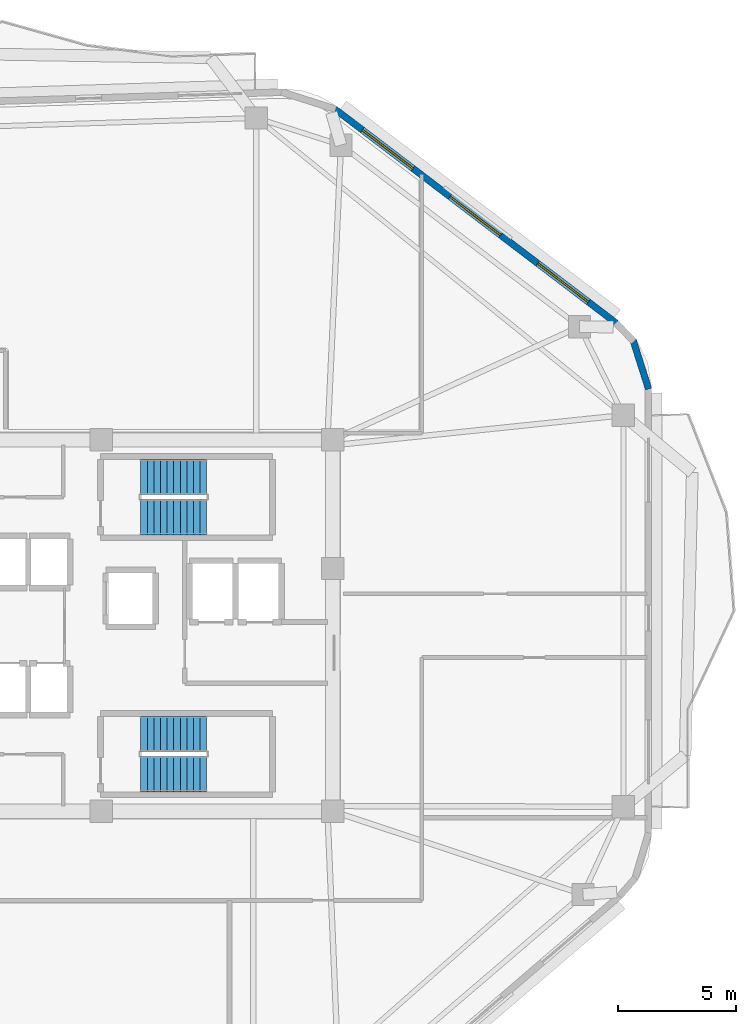
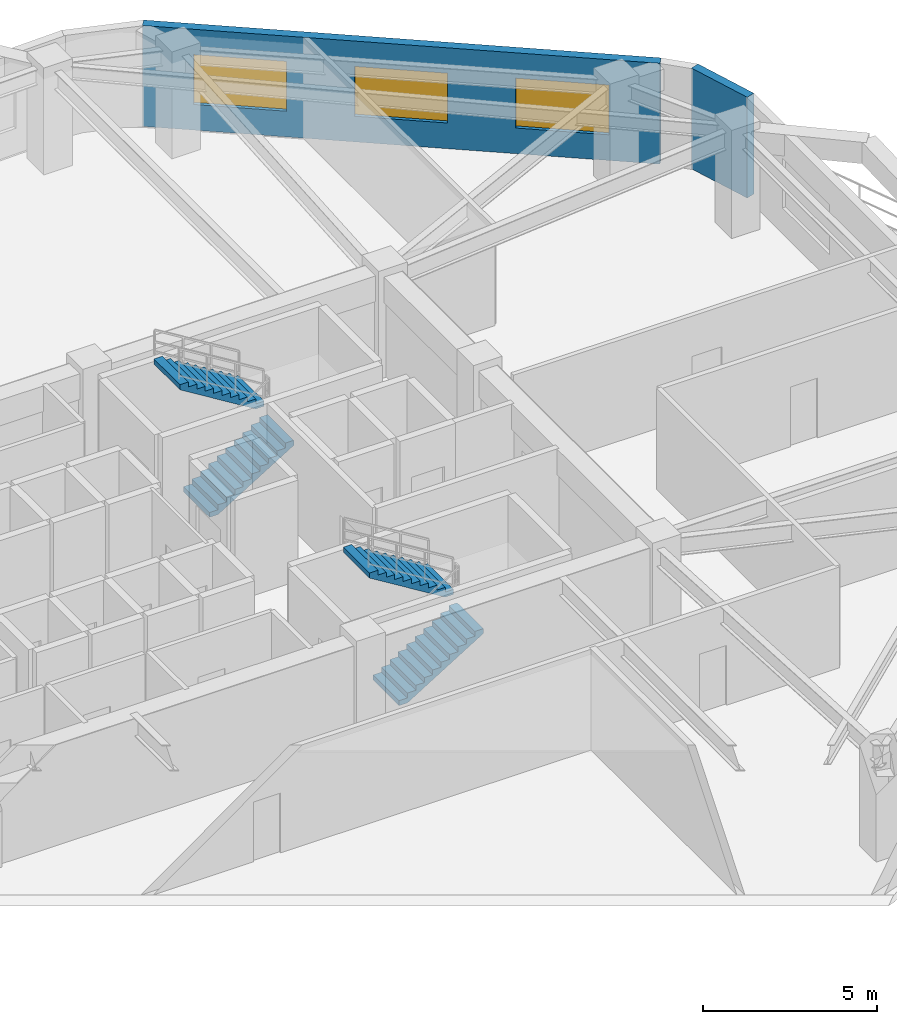
# One storey, part 6 of 8: 4 stair flights, 3 windows, 2 walls, 3 openings, 2 elements without a shape of their own.
"""IFC4 building model written with IfcOpenShell, lengths in metres."""

from ifc_helpers import new_model, si_unit, direction, frame, frame_2d, origin, place, context, subcontext, project, spatial, polyline, rectangle, outline, extrude, material, layer, layer_set, type_object, element, fill, aggregate, save


model = new_model("IFC4")

# Units and contexts
model_context = context("Model", 3, precision=1e-05, world=origin(), true_north=direction((0.0, 1.0)))
body_context = subcontext(model_context, "Body", "Model", "MODEL_VIEW")
ifc_project = project(units=[si_unit("LENGTHUNIT", "METRE"), si_unit("AREAUNIT", "SQUARE_METRE"), si_unit("VOLUMEUNIT", "CUBIC_METRE"), si_unit("PLANEANGLEUNIT", "RADIAN"), si_unit("MASSUNIT", "GRAM", prefix="KILO")], contexts=[model_context])

# Site, building, storey
site_placement = place(None, origin())
site = spatial("IfcSite", under=ifc_project, at=site_placement, CompositionType="ELEMENT")
building_placement = place(site_placement, origin())
building = spatial("IfcBuilding", under=site, at=building_placement, Name="Zulverin Broadcast Headquarters", CompositionType="ELEMENT")
storey_placement = place(building_placement, frame((0.0, 0.0, 163.0)))
storey = spatial("IfcBuildingStorey", under=building, at=storey_placement, Name="L41", CompositionType="ELEMENT", Elevation=163.0)

# Wall, openings, windows
ifc_material_1 = material(Name="Insulated pale-metal clad concrete spandrel C40/50", Category="concrete")
ifc_layer = layer(ifc_material_1, 0.280029296875, Name="Insulated pale-metal clad concrete spandrel C40/50", Category="concrete")
ifc_layer_set = layer_set([ifc_layer], Name="Insulated pale-metal clad concrete spandrel C40/50")
wall_type = type_object("IfcWallType", Name="WL-EXT-280", PredefinedType="STANDARD", material=ifc_layer_set)
wall_1_placement = place(storey_placement, frame((60.294921875, 38.025146484375, 0.0), z_axis=(0.0, 0.0, 1.0), x_axis=(-0.795831760834, 0.605517801925, 0.0)))
wall_1 = element("IfcWall", 1, at=wall_1_placement, inside=storey, type_object=wall_type, Name="L41 Pale-Metal Clad Spandrel Wall 4", PredefinedType="STANDARD", context=body_context, shape_type="SweptSolid", body=[
    extrude(rectangle(XDim=15.01171875, YDim=0.280029296875, at=frame_2d((7.505859375, 0.0))), origin(), (0.0, 0.0, 1.0), 3.5400390625),
])
opening_1_placement = place(wall_1_placement, frame((1.4853515625, 0.0, 0.89990234375)))
opening_1 = element("IfcOpeningElement", 2, at=opening_1_placement, cuts=wall_1, Name="Opening W-L41-E41", PredefinedType="OPENING", context=body_context, shape_type="SweptSolid", body=[
    extrude(rectangle(XDim=2.699951171875, YDim=1.75, at=frame_2d((1.35009765625, 0.875))), frame((0.0, 0.14990234375, 0.0), z_axis=(0.0, -1.0, 0.0), x_axis=(1.0, 0.0, 0.0)), (0.0, 0.0, 1.0), 0.300048828125),
])
opening_2_placement = place(wall_1_placement, frame((6.156005859375, 0.0, 0.89990234375)))
opening_2 = element("IfcOpeningElement", 3, at=opening_2_placement, cuts=wall_1, Name="Opening W-L41-E42", PredefinedType="OPENING", context=body_context, shape_type="SweptSolid", body=[
    extrude(rectangle(XDim=2.699951171875, YDim=1.75, at=frame_2d((1.35009765625, 0.875))), frame((0.0, 0.14990234375, 0.0), z_axis=(0.0, -1.0, 0.0), x_axis=(1.0, 0.0, 0.0)), (0.0, 0.0, 1.0), 0.300048828125),
])
opening_3_placement = place(wall_1_placement, frame((10.826416015625, 0.0, 0.89990234375)))
opening_3 = element("IfcOpeningElement", 4, at=opening_3_placement, cuts=wall_1, Name="Opening W-L41-E43", PredefinedType="OPENING", context=body_context, shape_type="SweptSolid", body=[
    extrude(rectangle(XDim=2.699951171875, YDim=1.75, at=frame_2d((1.35009765625, 0.875))), frame((0.0, 0.14990234375, 0.0), z_axis=(0.0, -1.0, 0.0), x_axis=(1.0, 0.0, 0.0)), (0.0, 0.0, 1.0), 0.300048828125),
])
ifc_material_2 = material(Name="Pale anodized aluminium frame with solar-control low-E double glazing", Category="aluminium")
window_type = type_object("IfcWindowType", Name="WIN-TWR-2700", PartitioningType="SINGLE_PANEL", PredefinedType="WINDOW", material=ifc_material_2)
window_1_placement = place(opening_1_placement, origin())
window_1 = element("IfcWindow", 5, at=window_1_placement, inside=storey, type_object=window_type, Name="L41 Ribbon Glazing Window 4 1", OverallHeight=1.75, OverallWidth=2.699951171875, PartitioningType="SINGLE_PANEL", PredefinedType="WINDOW", context=body_context, shape_type="SweptSolid", body=[
    extrude(rectangle(XDim=2.699951171875, YDim=1.75, at=frame_2d((1.35009765625, 0.875))), frame((0.0, 0.030029296875, 0.0), z_axis=(0.0, -1.0, 0.0), x_axis=(1.0, 0.0, 0.0)), (0.0, 0.0, 1.0), 0.06005859375),
])
fill(opening_1, window_1)
window_2_placement = place(opening_2_placement, origin())
window_2 = element("IfcWindow", 6, at=window_2_placement, inside=storey, type_object=window_type, Name="L41 Ribbon Glazing Window 4 2", OverallHeight=1.75, OverallWidth=2.699951171875, PartitioningType="SINGLE_PANEL", PredefinedType="WINDOW", context=body_context, shape_type="SweptSolid", body=[
    extrude(rectangle(XDim=2.699951171875, YDim=1.75, at=frame_2d((1.35009765625, 0.875))), frame((0.0, 0.030029296875, 0.0), z_axis=(0.0, -1.0, 0.0), x_axis=(1.0, 0.0, 0.0)), (0.0, 0.0, 1.0), 0.06005859375),
])
fill(opening_2, window_2)
window_3_placement = place(opening_3_placement, origin())
window_3 = element("IfcWindow", 7, at=window_3_placement, inside=storey, type_object=window_type, Name="L41 Ribbon Glazing Window 4 3", OverallHeight=1.75, OverallWidth=2.699951171875, PartitioningType="SINGLE_PANEL", PredefinedType="WINDOW", context=body_context, shape_type="SweptSolid", body=[
    extrude(rectangle(XDim=2.699951171875, YDim=1.75, at=frame_2d((1.35009765625, 0.875))), frame((0.0, 0.030029296875, 0.0), z_axis=(0.0, -1.0, 0.0), x_axis=(1.0, 0.0, 0.0)), (0.0, 0.0, 1.0), 0.06005859375),
])
fill(opening_3, window_3)

# Wall
wall_2_placement = place(storey_placement, frame((61.66650390625, 35.229248046875, 0.0), z_axis=(0.0, 0.0, 1.0), x_axis=(-0.302044777107, 0.953293738898, 0.0)))
element("IfcWall", 8, at=wall_2_placement, inside=storey, type_object=wall_type, Name="L41 Wind-Shaped Corner Spandrel Wall 3-1", PredefinedType="STANDARD", context=body_context, shape_type="SweptSolid", body=[
    extrude(rectangle(XDim=2.17431640625, YDim=0.280029296875, at=frame_2d((1.087158203125, 0.0))), origin(), (0.0, 0.0, 1.0), 3.5400390625),
])

# Stair, stair flights
ifc_material_3 = material(Name="Concrete C40/50", Category="concrete")
stair_type = type_object("IfcStairType", Name="ST-CORE-1500", PredefinedType="HALF_TURN_STAIR", material=ifc_material_3)
stair_1_placement = place(storey_placement, origin())
stair_1 = element("IfcStair", 9, at=stair_1_placement, inside=storey, type_object=stair_type, Name="L41 Core Exit Stair ST-1", PredefinedType="HALF_TURN_STAIR")
stair_flight_type = type_object("IfcStairFlightType", Name="SF-CORE-1500", PredefinedType="STRAIGHT", material=ifc_material_3)
stair_flight_1_placement = place(storey_placement, frame((40.1298828125, 29.800048828125, 0.0), z_axis=(0.0, 0.0, 1.0), x_axis=(1.0, 0.0, 0.0)))
stair_flight_1 = element("IfcStairFlight", 10, at=stair_flight_1_placement, type_object=stair_flight_type, Name="ST-1 flight 1", NumberOfRisers=11, NumberOfTreads=10, PredefinedType="STRAIGHT", RiserHeight=0.172727273, TreadLength=0.28, context=body_context, shape_type="SweptSolid", body=[
    extrude(outline(polyline([(0.0, 0.0), (0.0, 0.172607421875), (0.280029296875, 0.172607421875), (0.280029296875, 0.345458984375), (0.56005859375, 0.345458984375), (0.56005859375, 0.51806640625), (0.840087890625, 0.51806640625), (0.840087890625, 0.69091796875), (1.1201171875, 0.69091796875), (1.1201171875, 0.863525390625), (1.39990234375, 0.863525390625), (1.39990234375, 1.036376953125), (1.679931640625, 1.036376953125), (1.679931640625, 1.208984375), (1.9599609375, 1.208984375), (1.9599609375, 1.3818359375), (2.239990234375, 1.3818359375), (2.239990234375, 1.554443359375), (2.52001953125, 1.554443359375), (2.52001953125, 1.727294921875), (2.800048828125, 1.727294921875), (2.800048828125, 1.89990234375), (2.800048828125, 1.551025390625), (0.285400390625, 0.0), (0.0, 0.0)])), frame((0.0, 0.75, 0.0), z_axis=(0.0, -1.0, 0.0), x_axis=(1.0, 0.0, 0.0)), (0.0, 0.0, 1.0), 1.5),
])
stair_flight_2_placement = place(storey_placement, frame((42.929931640625, 31.5, 1.89990234375), z_axis=(0.0, 0.0, 1.0), x_axis=(-1.0, 0.0, 0.0)))
stair_flight_2 = element("IfcStairFlight", 11, at=stair_flight_2_placement, type_object=stair_flight_type, Name="ST-1 flight 2", NumberOfRisers=11, NumberOfTreads=10, PredefinedType="STRAIGHT", RiserHeight=0.172727273, TreadLength=0.28, context=body_context, shape_type="SweptSolid", body=[
    extrude(outline(polyline([(0.0, 0.0), (0.0, 0.172607421875), (0.280029296875, 0.172607421875), (0.280029296875, 0.345458984375), (0.56005859375, 0.345458984375), (0.56005859375, 0.51806640625), (0.840087890625, 0.51806640625), (0.840087890625, 0.69091796875), (1.1201171875, 0.69091796875), (1.1201171875, 0.863525390625), (1.39990234375, 0.863525390625), (1.39990234375, 1.036376953125), (1.679931640625, 1.036376953125), (1.679931640625, 1.208984375), (1.9599609375, 1.208984375), (1.9599609375, 1.3818359375), (2.239990234375, 1.3818359375), (2.239990234375, 1.554443359375), (2.52001953125, 1.554443359375), (2.52001953125, 1.727294921875), (2.800048828125, 1.727294921875), (2.800048828125, 1.89990234375), (2.800048828125, 1.551025390625), (0.285400390625, 0.0), (0.0, 0.0)])), frame((0.0, 0.75, 0.0), z_axis=(0.0, -1.0, 0.0), x_axis=(1.0, 0.0, 0.0)), (0.0, 0.0, 1.0), 1.5),
])
aggregate(stair_1, [stair_flight_1, stair_flight_2])

stair_2_placement = place(storey_placement, origin())
stair_2 = element("IfcStair", 12, at=stair_2_placement, inside=storey, type_object=stair_type, Name="L41 Core Exit Stair ST-2", PredefinedType="HALF_TURN_STAIR")
stair_flight_3_placement = place(storey_placement, frame((40.1298828125, 18.89990234375, 0.0), z_axis=(0.0, 0.0, 1.0), x_axis=(1.0, 0.0, 0.0)))
stair_flight_3 = element("IfcStairFlight", 13, at=stair_flight_3_placement, type_object=stair_flight_type, Name="ST-2 flight 1", NumberOfRisers=11, NumberOfTreads=10, PredefinedType="STRAIGHT", RiserHeight=0.172727273, TreadLength=0.28, context=body_context, shape_type="SweptSolid", body=[
    extrude(outline(polyline([(0.0, 0.0), (0.0, 0.172607421875), (0.280029296875, 0.172607421875), (0.280029296875, 0.345458984375), (0.56005859375, 0.345458984375), (0.56005859375, 0.51806640625), (0.840087890625, 0.51806640625), (0.840087890625, 0.69091796875), (1.1201171875, 0.69091796875), (1.1201171875, 0.863525390625), (1.39990234375, 0.863525390625), (1.39990234375, 1.036376953125), (1.679931640625, 1.036376953125), (1.679931640625, 1.208984375), (1.9599609375, 1.208984375), (1.9599609375, 1.3818359375), (2.239990234375, 1.3818359375), (2.239990234375, 1.554443359375), (2.52001953125, 1.554443359375), (2.52001953125, 1.727294921875), (2.800048828125, 1.727294921875), (2.800048828125, 1.89990234375), (2.800048828125, 1.551025390625), (0.285400390625, 0.0), (0.0, 0.0)])), frame((0.0, 0.75, 0.0), z_axis=(0.0, -1.0, 0.0), x_axis=(1.0, 0.0, 0.0)), (0.0, 0.0, 1.0), 1.5),
])
stair_flight_4_placement = place(storey_placement, frame((42.929931640625, 20.60009765625, 1.89990234375), z_axis=(0.0, 0.0, 1.0), x_axis=(-1.0, 0.0, 0.0)))
stair_flight_4 = element("IfcStairFlight", 14, at=stair_flight_4_placement, type_object=stair_flight_type, Name="ST-2 flight 2", NumberOfRisers=11, NumberOfTreads=10, PredefinedType="STRAIGHT", RiserHeight=0.172727273, TreadLength=0.28, context=body_context, shape_type="SweptSolid", body=[
    extrude(outline(polyline([(0.0, 0.0), (0.0, 0.172607421875), (0.280029296875, 0.172607421875), (0.280029296875, 0.345458984375), (0.56005859375, 0.345458984375), (0.56005859375, 0.51806640625), (0.840087890625, 0.51806640625), (0.840087890625, 0.69091796875), (1.1201171875, 0.69091796875), (1.1201171875, 0.863525390625), (1.39990234375, 0.863525390625), (1.39990234375, 1.036376953125), (1.679931640625, 1.036376953125), (1.679931640625, 1.208984375), (1.9599609375, 1.208984375), (1.9599609375, 1.3818359375), (2.239990234375, 1.3818359375), (2.239990234375, 1.554443359375), (2.52001953125, 1.554443359375), (2.52001953125, 1.727294921875), (2.800048828125, 1.727294921875), (2.800048828125, 1.89990234375), (2.800048828125, 1.551025390625), (0.285400390625, 0.0), (0.0, 0.0)])), frame((0.0, 0.75, 0.0), z_axis=(0.0, -1.0, 0.0), x_axis=(1.0, 0.0, 0.0)), (0.0, 0.0, 1.0), 1.5),
])
aggregate(stair_2, [stair_flight_3, stair_flight_4])

save(model, "model.ifc")
